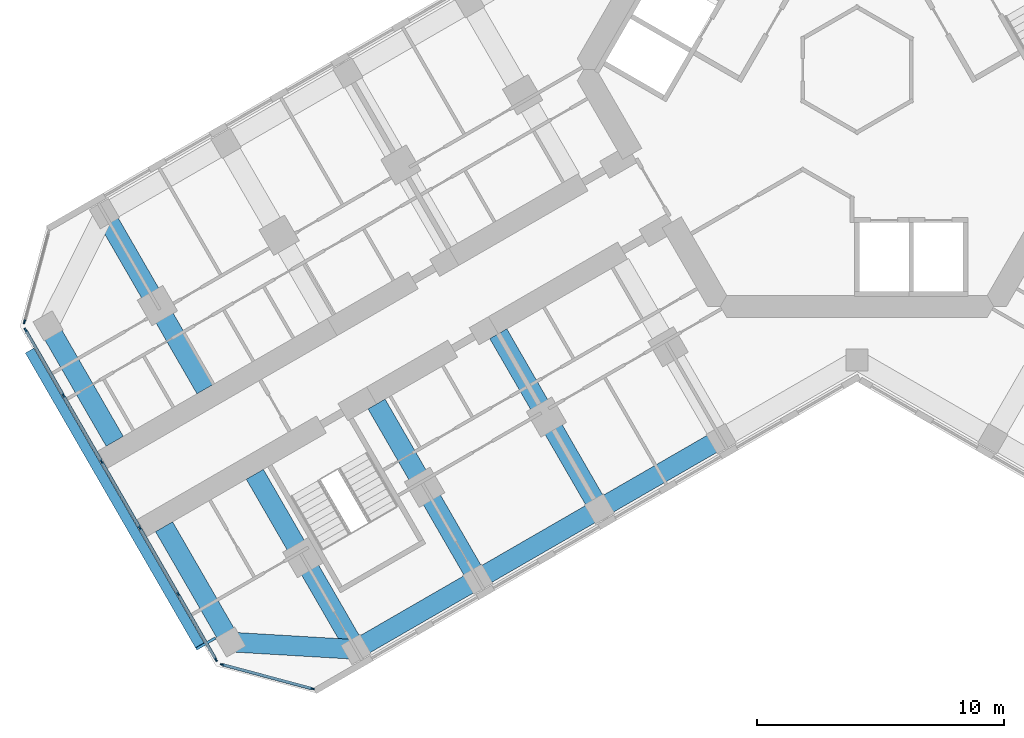
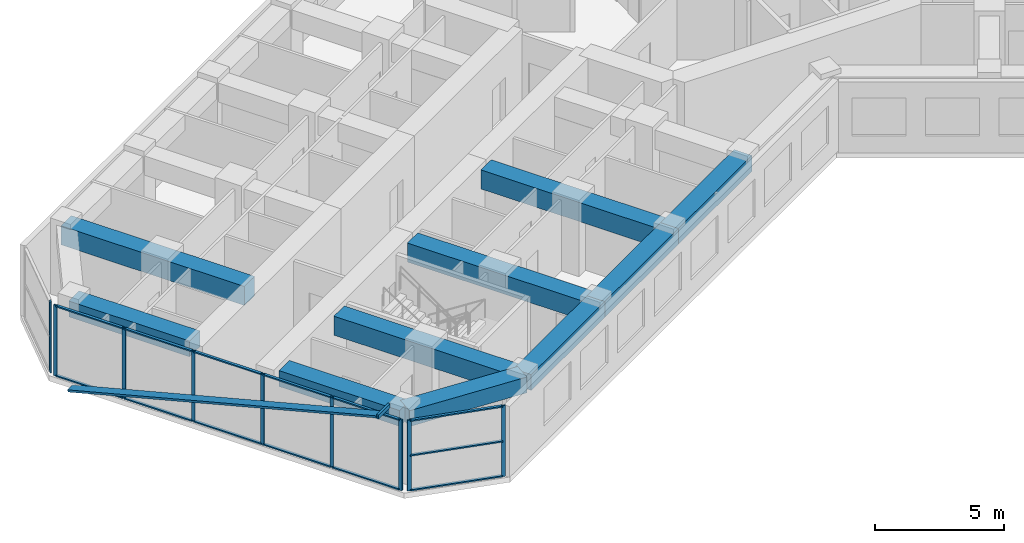
# One storey, part 2 of 19: 24 members, 10 beams, 3 elements without a shape of their own.
"""IFC4 building model written with IfcOpenShell, lengths in metres."""

import ifcopenshell
import ifcopenshell.guid

model = None  # the IFC model being written
_history = None  # IfcOwnerHistory: only IFC2X3 demands one
_inside = {}  # id of a spatial element -> (the spatial element, [elements in it])
_under = {}  # id of a project, library or spatial element -> (it, [spatial elements below it])
_declared = {}  # id of a project -> (the project, [libraries it declares])
_typed = {}  # id of a type object -> (the type object, [elements of that type])
_made_of = {}  # id of a material, layer set ... -> (it, [elements and type objects made of it])


def new_model(schema):
    """Start an empty IFC model of exactly this schema.

    Asked for "IFC4X3", IfcOpenShell would pick the latest addendum, in which some entities
    have other attributes; the version numbers below select the first issue.
    IFC2X3 requires an IfcOwnerHistory on every rooted entity: one is made here for all.
    """
    global model, _history
    if schema == "IFC4X3":
        model = ifcopenshell.file(schema_version=(4, 3, 0, 0))
    else:
        model = ifcopenshell.file(schema=schema)
    _inside.clear()
    _under.clear()
    _declared.clear()
    _typed.clear()
    _made_of.clear()
    _history = None
    if model.schema == "IFC2X3":
        org = make("IfcOrganization", Name="unknown")
        user = make(
            "IfcPersonAndOrganization",
            ThePerson=make("IfcPerson", FamilyName="unknown"),
            TheOrganization=org,
        )
        app = make(
            "IfcApplication",
            ApplicationDeveloper=org,
            Version="unknown",
            ApplicationFullName="unknown",
            ApplicationIdentifier="unknown",
        )
        _history = make(
            "IfcOwnerHistory",
            OwningUser=user,
            OwningApplication=app,
            ChangeAction="ADDED",
            CreationDate=0,
        )
    return model


def make(cls, **values):
    """One entity of the class cls with the attributes given. An attribute that is None is left unset."""
    return model.create_entity(
        cls, **{name: value for name, value in values.items() if value is not None}
    )


def rooted(cls, **values):
    """An entity with a GlobalId (a new one), such as an element, a storey or a relation."""
    return make(cls, GlobalId=ifcopenshell.guid.new(), OwnerHistory=_history, **values)


def si_unit(unit_type, name, prefix=None):
    """IfcSIUnit, for example si_unit("LENGTHUNIT", "METRE", prefix="MILLI")."""
    return make("IfcSIUnit", UnitType=unit_type, Prefix=prefix, Name=name)


def assignment(units):
    """IfcUnitAssignment: the units of a project."""
    return None if units is None else make("IfcUnitAssignment", Units=units)


def point(xyz):
    """IfcCartesianPoint."""
    return None if xyz is None else make("IfcCartesianPoint", Coordinates=xyz)


def direction(xyz):
    """IfcDirection."""
    return None if xyz is None else make("IfcDirection", DirectionRatios=xyz)


def frame(location, z_axis=None, x_axis=None):
    """IfcAxis2Placement3D, a coordinate frame: its origin and axes. An axis left out is left unset."""
    return make(
        "IfcAxis2Placement3D",
        Location=point(location),
        Axis=direction(z_axis),
        RefDirection=direction(x_axis),
    )


def frame_2d(location, x_axis=None):
    """IfcAxis2Placement2D, a coordinate frame in the plane: its origin and x axis."""
    return make(
        "IfcAxis2Placement2D", Location=point(location), RefDirection=direction(x_axis)
    )


def origin():
    """The frame at (0, 0, 0) with its axes left unset."""
    return frame((0.0, 0.0, 0.0))


def origin_2d():
    """The frame at (0, 0) in the plane with its x axis left unset."""
    return frame_2d((0.0, 0.0))


def place(relative_to, where):
    """IfcLocalPlacement: puts the frame where relative to a parent placement (None: the world)."""
    return make(
        "IfcLocalPlacement", PlacementRelTo=relative_to, RelativePlacement=where
    )


def context(
    kind, dimensions, precision=None, world=None, true_north=None, identifier=None
):
    """IfcGeometricRepresentationContext, for example the 3D "Model" context."""
    return make(
        "IfcGeometricRepresentationContext",
        ContextIdentifier=identifier,
        ContextType=kind,
        CoordinateSpaceDimension=dimensions,
        Precision=precision,
        WorldCoordinateSystem=world,
        TrueNorth=true_north,
    )


def subcontext(parent, identifier, kind, view, scale=None):
    """IfcGeometricRepresentationSubContext, for example "Body" below "Model"."""
    return make(
        "IfcGeometricRepresentationSubContext",
        ContextIdentifier=identifier,
        ContextType=kind,
        ParentContext=parent,
        TargetScale=scale,
        TargetView=view,
    )


def project(units=None, contexts=None):
    """IfcProject with its units and contexts."""
    return rooted(
        "IfcProject",
        Name="project",
        RepresentationContexts=contexts,
        UnitsInContext=assignment(units),
    )


def spatial(cls, under=None, at=None, **own):
    """A site, building, storey or space (cls), placed at a placement, below another one or the project."""
    s = rooted(cls, ObjectPlacement=at, **own)
    if under is not None:
        _under.setdefault(under.id(), (under, []))[1].append(s)
    return s


def profile(cls, at=None, kind="AREA", **sizes):
    """A parametric profile (cls). Its sizes go by their IFC names, for example OverallWidth=200.0."""
    return make(cls, ProfileType=kind, Position=at, **sizes)


def rectangle(**sizes):
    """IfcRectangleProfileDef."""
    return profile("IfcRectangleProfileDef", **sizes)


def hollow_rectangle(**sizes):
    """IfcRectangleHollowProfileDef."""
    return profile("IfcRectangleHollowProfileDef", **sizes)


def extrude(swept, where, along, depth):
    """IfcExtrudedAreaSolid: the profile swept, set in the frame where, extruded along a direction by depth."""
    return make(
        "IfcExtrudedAreaSolid",
        SweptArea=swept,
        Position=where,
        ExtrudedDirection=direction(along),
        Depth=depth,
    )


def shape(context_of_items, identifier, shape_type, items):
    """IfcShapeRepresentation: the items that make up one representation, for example the "Body"."""
    return make(
        "IfcShapeRepresentation",
        ContextOfItems=context_of_items,
        RepresentationIdentifier=identifier,
        RepresentationType=shape_type,
        Items=items,
    )


def material(Name=None, Category=None):
    """IfcMaterial."""
    return make("IfcMaterial", Name=Name, Category=Category)


def material_profile(
    of_material, cross_section, Name=None, Category=None, Priority=None
):
    """IfcMaterialProfile: a cross section and its material."""
    return make(
        "IfcMaterialProfile",
        Name=Name,
        Material=of_material,
        Profile=cross_section,
        Priority=Priority,
        Category=Category,
    )


def profile_set(profiles, Name=None, composite=None):
    """IfcMaterialProfileSet."""
    return make(
        "IfcMaterialProfileSet",
        Name=Name,
        MaterialProfiles=profiles,
        CompositeProfile=composite,
    )


def made_of(thing, what):
    """Note that an element or type object is made of a material, layer set ...; save() writes the relation."""
    if what is not None:
        _made_of.setdefault(what.id(), (what, []))[1].append(thing)
    return thing


def type_object(cls, material=None, **own):
    """A type object (cls), such as IfcWallType, which elements share."""
    return made_of(rooted(cls, **own), material)


def element(
    cls,
    number,
    at=None,
    inside=None,
    cuts=None,
    type_object=None,
    material=None,
    context=None,
    identifier="Body",
    shape_type=None,
    held_by="IfcProductDefinitionShape",
    body=None,
    shapes=None,
    **own,
):
    """One element of the class cls, such as IfcWall. Its Tag is "e" and its number.

    at: its placement. inside: the storey or other place that contains it. cuts: it is an
    opening in that element (IfcRelVoidsElement). A single representation is given by context,
    identifier, shape_type and body (its items); several are given by shapes. held_by: the class
    of the entity that holds the representations. save() writes the other relations.
    """
    e = rooted(cls, Tag="e%d" % number, ObjectPlacement=at, **own)
    if body is not None:
        shapes = [shape(context, identifier, shape_type, body)]
    if shapes is not None:
        e.Representation = make(held_by, Representations=shapes)
    if inside is not None:
        _inside.setdefault(inside.id(), (inside, []))[1].append(e)
    if cuts is not None:
        rooted(
            "IfcRelVoidsElement", RelatingBuildingElement=cuts, RelatedOpeningElement=e
        )
    if type_object is not None:
        _typed.setdefault(type_object.id(), (type_object, []))[1].append(e)
    return made_of(e, material)


def aggregate(whole, parts):
    """IfcRelAggregates: a whole, such as a stair, and the parts it consists of."""
    return rooted("IfcRelAggregates", RelatingObject=whole, RelatedObjects=parts)


def save(model, path):
    """Write the relations noted so far, then the file.

    IfcRelAggregates (storeys below a building ...), IfcRelContainedInSpatialStructure (elements
    in a storey), IfcRelDefinesByType, IfcRelAssociatesMaterial and IfcRelDeclares: one each for
    every whole, place, type object, material and project.
    """
    for whole, parts in _under.values():
        aggregate(whole, parts)
    for where, things in _inside.values():
        rooted(
            "IfcRelContainedInSpatialStructure",
            RelatedElements=things,
            RelatingStructure=where,
        )
    for kind, things in _typed.values():
        rooted("IfcRelDefinesByType", RelatedObjects=things, RelatingType=kind)
    for what, things in _made_of.values():
        rooted("IfcRelAssociatesMaterial", RelatedObjects=things, RelatingMaterial=what)
    for by, libraries in _declared.values():
        rooted("IfcRelDeclares", RelatingContext=by, RelatedDefinitions=libraries)
    model.write(path)


model = new_model("IFC4")

# Units and contexts
model_context = context("Model", 3, precision=1e-05, world=origin(), true_north=direction((0.0, 1.0)))
body_context = subcontext(model_context, "Body", "Model", "MODEL_VIEW")
ifc_project = project(units=[si_unit("LENGTHUNIT", "METRE"), si_unit("AREAUNIT", "SQUARE_METRE"), si_unit("VOLUMEUNIT", "CUBIC_METRE"), si_unit("PLANEANGLEUNIT", "RADIAN"), si_unit("MASSUNIT", "GRAM", prefix="KILO")], contexts=[model_context])

# Site, building, storey
site_placement = place(None, origin())
site = spatial("IfcSite", under=ifc_project, at=site_placement, CompositionType="ELEMENT")
building_placement = place(site_placement, origin())
building = spatial("IfcBuilding", under=site, at=building_placement, Name="Kosmar Iwan School Tower", CompositionType="ELEMENT")
storey_placement = place(building_placement, frame((0.0, 0.0, 161.60009765625)))
storey = spatial("IfcBuildingStorey", under=building, at=storey_placement, Name="L40", CompositionType="ELEMENT", Elevation=161.60009765625)

# Members
ifc_material_1 = material(Name="Black anodised aluminium", Category="aluminium")
ifc_material_profile_1 = material_profile(ifc_material_1, rectangle(XDim=0.10009765625, YDim=0.39990234375, at=origin_2d()), Name="FIN 100x400")
ifc_profile_set_1 = profile_set([ifc_material_profile_1], Name="Black anodised aluminium")
member_type_1 = type_object("IfcMemberType", Name="Diagonal fin 100x400", PredefinedType="USERDEFINED", material=ifc_profile_set_1)
member_1_placement = place(storey_placement, frame((-33.54345703125, -11.40087890625, -0.150146484375), z_axis=(0.483793446988, -0.837970316603, 0.25248692866), x_axis=(-0.126241714543, 0.218661104574, 0.96760030532)))
element("IfcMember", 1, at=member_1_placement, inside=storey, type_object=member_type_1, Name="Diagonal fin L40-F13", ObjectType="FIN", PredefinedType="USERDEFINED", context=body_context, shape_type="SweptSolid", body=[
    extrude(rectangle(XDim=0.10009765625, YDim=0.39990234375, at=origin_2d()), origin(), (0.0, 0.0, 1.0), 14.258544921875),
])
ifc_material_2 = material(Name="Steel S355", Category="steel")
ifc_material_profile_2 = material_profile(ifc_material_2, hollow_rectangle(XDim=0.10009765625, YDim=0.199951171875, WallThickness=0.008056640625, at=origin_2d()), Name="RHS 200x100x8")
ifc_profile_set_2 = profile_set([ifc_material_profile_2], Name="Steel S355")
member_type_2 = type_object("IfcMemberType", Name="Fin bracket RHS 200x100", PredefinedType="USERDEFINED", material=ifc_profile_set_2)
member_2_placement = place(storey_placement, frame((-26.01318359375, -23.0439453125, 3.474853515625), z_axis=(-0.866013897511, -0.50001992892, 0.0), x_axis=(0.50001992892, -0.866013897511, 0.0)))
element("IfcMember", 2, at=member_2_placement, inside=storey, type_object=member_type_2, Name="Fin bracket L41", ObjectType="FIN BRACKET", PredefinedType="USERDEFINED", context=body_context, shape_type="SweptSolid", body=[
    extrude(hollow_rectangle(XDim=0.10009765625, YDim=0.199951171875, WallThickness=0.008056640625, at=origin_2d()), origin(), (0.0, 0.0, 1.0), 0.89990234375),
])

# Curtain wall, member
ifc_material_3 = material(Name="Dark glass in black aluminium frame", Category="aluminium")
curtain_wall_type_1 = type_object("IfcCurtainWallType", Name="Chamfer curtain wall dark glass", PredefinedType="USERDEFINED", material=ifc_material_3)
curtain_wall_1_placement = place(storey_placement, origin())
curtain_wall_1 = element("IfcCurtainWall", 3, at=curtain_wall_1_placement, inside=storey, type_object=curtain_wall_type_1, Name="Curtain wall L40-F12", ObjectType="FACETED CURTAIN WALL", PredefinedType="USERDEFINED")
ifc_material_4 = material(Name="Black anodised aluminium", Category="aluminium")
ifc_material_profile_3 = material_profile(ifc_material_4, rectangle(XDim=0.06005859375, YDim=0.159912109375, at=origin_2d()), Name="MULLION 60x160")
ifc_profile_set_3 = profile_set([ifc_material_profile_3], Name="Black anodised aluminium")
member_type_3 = type_object("IfcMemberType", Name="Mullion 60x160", PredefinedType="MULLION", material=ifc_profile_set_3)
member_3_placement = place(storey_placement, frame((-33.7587890625, -10.2236328125, 0.0), z_axis=(0.0, 0.0, 1.0), x_axis=(0.965925875495, -0.258818861462, 0.0)))
member_3 = element("IfcMember", 4, at=member_3_placement, type_object=member_type_3, Name="CW2 mullion 2", PredefinedType="MULLION", context=body_context, shape_type="SweptSolid", body=[
    extrude(rectangle(XDim=0.06005859375, YDim=0.159912109375, at=origin_2d()), origin(), (0.0, 0.0, 1.0), 3.349853515625),
])
aggregate(curtain_wall_1, [member_3])

# Curtain wall, members
ifc_material_5 = material(Name="Dark glass in black aluminium frame", Category="aluminium")
curtain_wall_type_2 = type_object("IfcCurtainWallType", Name="Tower curtain wall dark glass", PredefinedType="USERDEFINED", material=ifc_material_5)
curtain_wall_2_placement = place(storey_placement, origin())
curtain_wall_2 = element("IfcCurtainWall", 5, at=curtain_wall_2_placement, inside=storey, type_object=curtain_wall_type_2, Name="Curtain wall L40-F13", ObjectType="UNITISED CURTAIN WALL", PredefinedType="USERDEFINED")
member_4_placement = place(storey_placement, frame((-33.71533203125, -10.55322265625, 0.0), z_axis=(0.0, 0.0, 1.0), x_axis=(0.866025405329, 0.499999997325, 0.0)))
member_4 = element("IfcMember", 6, at=member_4_placement, type_object=member_type_3, Name="CW1 mullion 1", PredefinedType="MULLION", context=body_context, shape_type="SweptSolid", body=[
    extrude(rectangle(XDim=0.06005859375, YDim=0.159912109375, at=origin_2d()), origin(), (0.0, 0.0, 1.0), 3.349853515625),
])
member_5_placement = place(storey_placement, frame((-32.1806640625, -13.21142578125, 0.0), z_axis=(0.0, 0.0, 1.0), x_axis=(0.866025405329, 0.499999997325, 0.0)))
member_5 = element("IfcMember", 7, at=member_5_placement, type_object=member_type_3, Name="CW1 mullion 2", PredefinedType="MULLION", context=body_context, shape_type="SweptSolid", body=[
    extrude(rectangle(XDim=0.06005859375, YDim=0.159912109375, at=origin_2d()), origin(), (0.0, 0.0, 1.0), 3.349853515625),
])
member_6_placement = place(storey_placement, frame((-30.631103515625, -15.8955078125, 0.0), z_axis=(0.0, 0.0, 1.0), x_axis=(0.866025405329, 0.499999997325, 0.0)))
member_6 = element("IfcMember", 8, at=member_6_placement, type_object=member_type_3, Name="CW1 mullion 3", PredefinedType="MULLION", context=body_context, shape_type="SweptSolid", body=[
    extrude(rectangle(XDim=0.06005859375, YDim=0.159912109375, at=origin_2d()), origin(), (0.0, 0.0, 1.0), 3.349853515625),
])
member_7_placement = place(storey_placement, frame((-29.081298828125, -18.57958984375, 0.0), z_axis=(0.0, 0.0, 1.0), x_axis=(0.866025405329, 0.499999997325, 0.0)))
member_7 = element("IfcMember", 9, at=member_7_placement, type_object=member_type_3, Name="CW1 mullion 4", PredefinedType="MULLION", context=body_context, shape_type="SweptSolid", body=[
    extrude(rectangle(XDim=0.06005859375, YDim=0.159912109375, at=origin_2d()), origin(), (0.0, 0.0, 1.0), 3.349853515625),
])
member_8_placement = place(storey_placement, frame((-27.53173828125, -21.263671875, 0.0), z_axis=(0.0, 0.0, 1.0), x_axis=(0.866025405329, 0.499999997325, 0.0)))
member_8 = element("IfcMember", 10, at=member_8_placement, type_object=member_type_3, Name="CW1 mullion 5", PredefinedType="MULLION", context=body_context, shape_type="SweptSolid", body=[
    extrude(rectangle(XDim=0.06005859375, YDim=0.159912109375, at=origin_2d()), origin(), (0.0, 0.0, 1.0), 3.349853515625),
])
member_9_placement = place(storey_placement, frame((-25.9970703125, -23.921630859375, 0.0), z_axis=(0.0, 0.0, 1.0), x_axis=(0.866025405329, 0.499999997325, 0.0)))
member_9 = element("IfcMember", 11, at=member_9_placement, type_object=member_type_3, Name="CW1 mullion 6", PredefinedType="MULLION", context=body_context, shape_type="SweptSolid", body=[
    extrude(rectangle(XDim=0.06005859375, YDim=0.159912109375, at=origin_2d()), origin(), (0.0, 0.0, 1.0), 3.349853515625),
])

curtain_wall_3_placement = place(storey_placement, origin())
curtain_wall_3 = element("IfcCurtainWall", 12, at=curtain_wall_3_placement, inside=storey, type_object=curtain_wall_type_1, Name="Curtain wall L40-F14", ObjectType="FACETED CURTAIN WALL", PredefinedType="USERDEFINED")
member_10_placement = place(storey_placement, frame((-25.733154296875, -24.124267578125, 0.0), z_axis=(0.0, 0.0, 1.0), x_axis=(0.258818861462, 0.965925875495, 0.0)))
member_10 = element("IfcMember", 13, at=member_10_placement, type_object=member_type_3, Name="CW2 mullion 1", PredefinedType="MULLION", context=body_context, shape_type="SweptSolid", body=[
    extrude(rectangle(XDim=0.06005859375, YDim=0.159912109375, at=origin_2d()), origin(), (0.0, 0.0, 1.0), 3.349853515625),
])
member_11_placement = place(storey_placement, frame((-22.0830078125, -25.102294921875, 0.0), z_axis=(0.0, 0.0, 1.0), x_axis=(0.258818861462, 0.965925875495, 0.0)))
member_11 = element("IfcMember", 14, at=member_11_placement, type_object=member_type_3, Name="CW2 mullion 2", PredefinedType="MULLION", context=body_context, shape_type="SweptSolid", body=[
    extrude(rectangle(XDim=0.06005859375, YDim=0.159912109375, at=origin_2d()), origin(), (0.0, 0.0, 1.0), 3.349853515625),
])

# Beams
ifc_material_6 = material(Name="Concrete C50/60", Category="concrete")
ifc_material_profile_4 = material_profile(ifc_material_6, rectangle(XDim=0.800048828125, YDim=0.75, at=origin_2d()), Name="RC 800x750")
ifc_profile_set_4 = profile_set([ifc_material_profile_4], Name="Concrete C50/60")
beam_type_1 = type_object("IfcBeamType", Name="RC edge beam 800x750", PredefinedType="BEAM", material=ifc_profile_set_4)
beam_1_placement = place(storey_placement, frame((-5.5087890625, -14.95849609375, 2.974853515625), z_axis=(-0.866033658841, -0.49998570155, 0.0), x_axis=(0.49998570155, -0.866033658841, 0.0)))
element("IfcBeam", 15, at=beam_1_placement, inside=storey, type_object=beam_type_1, Name="Edge beam BL2", PredefinedType="BEAM", context=body_context, shape_type="SweptSolid", body=[
    extrude(rectangle(XDim=0.800048828125, YDim=0.75, at=origin_2d()), origin(), (0.0, 0.0, 1.0), 5.699951171875),
])
beam_2_placement = place(storey_placement, frame((-10.445068359375, -17.808349609375, 2.974853515625), z_axis=(-0.866025820012, -0.499999279071, 0.0), x_axis=(0.499999279071, -0.866025820012, 0.0)))
element("IfcBeam", 16, at=beam_2_placement, inside=storey, type_object=beam_type_1, Name="Edge beam BL3", PredefinedType="BEAM", context=body_context, shape_type="SweptSolid", body=[
    extrude(rectangle(XDim=0.800048828125, YDim=0.75, at=origin_2d()), origin(), (0.0, 0.0, 1.0), 5.7001953125),
])
beam_3_placement = place(storey_placement, frame((-15.381591796875, -20.658447265625, 2.974853515625), z_axis=(-0.866015111908, -0.50001782563, 0.0), x_axis=(0.50001782563, -0.866015111908, 0.0)))
element("IfcBeam", 17, at=beam_3_placement, inside=storey, type_object=beam_type_1, Name="Edge beam BL4", PredefinedType="BEAM", context=body_context, shape_type="SweptSolid", body=[
    extrude(rectangle(XDim=0.800048828125, YDim=0.75, at=origin_2d()), origin(), (0.0, 0.0, 1.0), 5.699951171875),
])
ifc_material_7 = material(Name="Concrete C50/60", Category="concrete")
ifc_material_profile_5 = material_profile(ifc_material_7, rectangle(XDim=0.800048828125, YDim=0.75, at=origin_2d()), Name="RC 800x750")
ifc_profile_set_5 = profile_set([ifc_material_profile_5], Name="Concrete C50/60")
beam_type_2 = type_object("IfcBeamType", Name="RC tip beam 800x750", PredefinedType="BEAM", material=ifc_profile_set_5)
beam_4_placement = place(storey_placement, frame((-20.31787109375, -23.508544921875, 2.974853515625), z_axis=(-0.998260616478, 0.058955420358, 0.0), x_axis=(-0.058955420358, -0.998260616478, 0.0)))
element("IfcBeam", 18, at=beam_4_placement, inside=storey, type_object=beam_type_2, Name="Tip beam BL", PredefinedType="BEAM", context=body_context, shape_type="SweptSolid", body=[
    extrude(rectangle(XDim=0.800048828125, YDim=0.75, at=origin_2d()), origin(), (0.0, 0.0, 1.0), 5.08935546875),
])
for number, where, z_axis, x_axis, name in (
    (19, (-25.3984375, -23.20849609375, 2.974853515625), (-0.499995103361, 0.866028230842, 0.0), (-0.866028230842, -0.499995103361, 0.0), "Tip beam BL to corridor wall"),
    (20, (-32.79833984375, -10.391357421875, 2.974853515625), (0.499995103361, -0.866028230842, 0.0), (0.866028230842, 0.499995103361, 0.0), "Tip beam BR to corridor wall"),
):
    element("IfcBeam", number, at=place(storey_placement, frame(where, z_axis=z_axis, x_axis=x_axis)), inside=storey, type_object=beam_type_2, Name=name, PredefinedType="BEAM", context=body_context, shape_type="SweptSolid", body=[
        extrude(rectangle(XDim=0.800048828125, YDim=0.75, at=origin_2d()), origin(), (0.0, 0.0, 1.0), 5.39990234375),
    ])
ifc_material_8 = material(Name="Concrete C50/60", Category="concrete")
ifc_material_profile_6 = material_profile(ifc_material_8, rectangle(XDim=0.800048828125, YDim=0.89990234375, at=origin_2d()), Name="RC 800x900")
ifc_profile_set_6 = profile_set([ifc_material_profile_6], Name="Concrete C50/60")
beam_type_3 = type_object("IfcBeamType", Name="RC transverse beam 800x900", PredefinedType="BEAM", material=ifc_profile_set_6)
for number, where, z_axis, x_axis, name in (
    (21, (-10.445068359375, -17.808349609375, 2.89990234375), (-0.500013681986, 0.866017504342, 0.0), (-0.866017504342, -0.500013681986, 0.0), "Transverse beam BL2"),
    (22, (-15.381591796875, -20.658447265625, 2.89990234375), (-0.49999135188, 0.866030396721, 0.0), (-0.866030396721, -0.49999135188, 0.0), "Transverse beam BL3"),
    (23, (-20.31787109375, -23.508544921875, 2.89990234375), (-0.499978459874, 0.866037839625, 0.0), (-0.866037839625, -0.499978459874, 0.0), "Transverse beam BL4"),
    (24, (-30.517822265625, -5.841552734375, 2.89990234375), (0.500013681986, -0.866017504342, 0.0), (0.866017504342, 0.500013681986, 0.0), "Transverse beam BR4"),
):
    element("IfcBeam", number, at=place(storey_placement, frame(where, z_axis=z_axis, x_axis=x_axis)), inside=storey, type_object=beam_type_3, Name=name, PredefinedType="BEAM", context=body_context, shape_type="SweptSolid", body=[
        extrude(rectangle(XDim=0.800048828125, YDim=0.89990234375, at=origin_2d()), origin(), (0.0, 0.0, 1.0), 8.199951171875),
    ])

# Member
ifc_material_9 = material(Name="Black anodised aluminium", Category="aluminium")
ifc_material_profile_7 = material_profile(ifc_material_9, rectangle(XDim=0.1201171875, YDim=0.06005859375, at=origin_2d()), Name="TRANSOM 60x120")
ifc_profile_set_7 = profile_set([ifc_material_profile_7], Name="Black anodised aluminium")
member_type_4 = type_object("IfcMemberType", Name="Transom 60x120", PredefinedType="USERDEFINED", material=ifc_profile_set_7)
member_12_placement = place(storey_placement, frame((-33.700439453125, -10.579345703125, 0.02978515625), z_axis=(0.500022102064, -0.866012642776, 0.0), x_axis=(0.866012642776, 0.500022102064, 0.0)))
member_12 = element("IfcMember", 25, at=member_12_placement, type_object=member_type_4, Name="CW1 transom 1.1", ObjectType="TRANSOM", PredefinedType="USERDEFINED", context=body_context, shape_type="SweptSolid", body=[
    extrude(rectangle(XDim=0.1201171875, YDim=0.06005859375, at=origin_2d()), origin(), (0.0, 0.0, 1.0), 3.009033203125),
])

member_13_placement = place(storey_placement, frame((-33.700439453125, -10.579345703125, 3.31982421875), z_axis=(0.500022102064, -0.866012642776, 0.0), x_axis=(0.866012642776, 0.500022102064, 0.0)))
member_13 = element("IfcMember", 26, at=member_13_placement, type_object=member_type_4, Name="CW1 transom 1.2", ObjectType="TRANSOM", PredefinedType="USERDEFINED", context=body_context, shape_type="SweptSolid", body=[
    extrude(rectangle(XDim=0.1201171875, YDim=0.06005859375, at=origin_2d()), origin(), (0.0, 0.0, 1.0), 3.009033203125),
])

member_14_placement = place(storey_placement, frame((-32.165771484375, -13.2373046875, 0.02978515625), z_axis=(0.500035348339, -0.866004994449, 0.0), x_axis=(0.866004994449, 0.500035348339, 0.0)))
member_14 = element("IfcMember", 27, at=member_14_placement, type_object=member_type_4, Name="CW1 transom 2.1", ObjectType="TRANSOM", PredefinedType="USERDEFINED", context=body_context, shape_type="SweptSolid", body=[
    extrude(rectangle(XDim=0.1201171875, YDim=0.06005859375, at=origin_2d()), origin(), (0.0, 0.0, 1.0), 3.039306640625),
])

member_15_placement = place(storey_placement, frame((-32.165771484375, -13.2373046875, 3.31982421875), z_axis=(0.500035348339, -0.866004994449, 0.0), x_axis=(0.866004994449, 0.500035348339, 0.0)))
member_15 = element("IfcMember", 28, at=member_15_placement, type_object=member_type_4, Name="CW1 transom 2.2", ObjectType="TRANSOM", PredefinedType="USERDEFINED", context=body_context, shape_type="SweptSolid", body=[
    extrude(rectangle(XDim=0.1201171875, YDim=0.06005859375, at=origin_2d()), origin(), (0.0, 0.0, 1.0), 3.039306640625),
])

member_16_placement = place(storey_placement, frame((-30.615966796875, -15.92138671875, 0.02978515625), z_axis=(0.499975102327, -0.866039777986, 0.0), x_axis=(0.866039777986, 0.499975102327, 0.0)))
member_16 = element("IfcMember", 29, at=member_16_placement, type_object=member_type_4, Name="CW1 transom 3.1", ObjectType="TRANSOM", PredefinedType="USERDEFINED", context=body_context, shape_type="SweptSolid", body=[
    extrude(rectangle(XDim=0.1201171875, YDim=0.06005859375, at=origin_2d()), origin(), (0.0, 0.0, 1.0), 3.039306640625),
])

member_17_placement = place(storey_placement, frame((-30.615966796875, -15.92138671875, 3.31982421875), z_axis=(0.499975102327, -0.866039777986, 0.0), x_axis=(0.866039777986, 0.499975102327, 0.0)))
member_17 = element("IfcMember", 30, at=member_17_placement, type_object=member_type_4, Name="CW1 transom 3.2", ObjectType="TRANSOM", PredefinedType="USERDEFINED", context=body_context, shape_type="SweptSolid", body=[
    extrude(rectangle(XDim=0.1201171875, YDim=0.06005859375, at=origin_2d()), origin(), (0.0, 0.0, 1.0), 3.039306640625),
])

member_18_placement = place(storey_placement, frame((-29.06640625, -18.60546875, 0.02978515625), z_axis=(0.499975102327, -0.866039777986, 0.0), x_axis=(0.866039777986, 0.499975102327, 0.0)))
member_18 = element("IfcMember", 31, at=member_18_placement, type_object=member_type_4, Name="CW1 transom 4.1", ObjectType="TRANSOM", PredefinedType="USERDEFINED", context=body_context, shape_type="SweptSolid", body=[
    extrude(rectangle(XDim=0.1201171875, YDim=0.06005859375, at=origin_2d()), origin(), (0.0, 0.0, 1.0), 3.039306640625),
])

member_19_placement = place(storey_placement, frame((-29.06640625, -18.60546875, 3.31982421875), z_axis=(0.499975102327, -0.866039777986, 0.0), x_axis=(0.866039777986, 0.499975102327, 0.0)))
member_19 = element("IfcMember", 32, at=member_19_placement, type_object=member_type_4, Name="CW1 transom 4.2", ObjectType="TRANSOM", PredefinedType="USERDEFINED", context=body_context, shape_type="SweptSolid", body=[
    extrude(rectangle(XDim=0.1201171875, YDim=0.06005859375, at=origin_2d()), origin(), (0.0, 0.0, 1.0), 3.039306640625),
])

member_20_placement = place(storey_placement, frame((-27.516845703125, -21.28955078125, 0.02978515625), z_axis=(0.499986971506, -0.866032925658, 0.0), x_axis=(0.866032925658, 0.499986971506, 0.0)))
member_20 = element("IfcMember", 33, at=member_20_placement, type_object=member_type_4, Name="CW1 transom 5.1", ObjectType="TRANSOM", PredefinedType="USERDEFINED", context=body_context, shape_type="SweptSolid", body=[
    extrude(rectangle(XDim=0.1201171875, YDim=0.06005859375, at=origin_2d()), origin(), (0.0, 0.0, 1.0), 3.00927734375),
])

member_21_placement = place(storey_placement, frame((-27.516845703125, -21.28955078125, 3.31982421875), z_axis=(0.499986971506, -0.866032925658, 0.0), x_axis=(0.866032925658, 0.499986971506, 0.0)))
member_21 = element("IfcMember", 34, at=member_21_placement, type_object=member_type_4, Name="CW1 transom 5.2", ObjectType="TRANSOM", PredefinedType="USERDEFINED", context=body_context, shape_type="SweptSolid", body=[
    extrude(rectangle(XDim=0.1201171875, YDim=0.06005859375, at=origin_2d()), origin(), (0.0, 0.0, 1.0), 3.00927734375),
])

aggregate(curtain_wall_2, [member_4, member_5, member_6, member_7, member_8, member_9, member_12, member_13, member_14, member_15, member_16, member_17, member_18, member_19, member_20, member_21])

member_22_placement = place(storey_placement, frame((-25.704345703125, -24.1318359375, 0.02978515625), z_axis=(0.965923731726, -0.258826861991, 0.0), x_axis=(0.258826861991, 0.965923731726, 0.0)))
member_22 = element("IfcMember", 35, at=member_22_placement, type_object=member_type_4, Name="CW2 transom 1.1", ObjectType="TRANSOM", PredefinedType="USERDEFINED", context=body_context, shape_type="SweptSolid", body=[
    extrude(rectangle(XDim=0.1201171875, YDim=0.06005859375, at=origin_2d()), origin(), (0.0, 0.0, 1.0), 3.71923828125),
])

member_23_placement = place(storey_placement, frame((-25.704345703125, -24.1318359375, 1.6748046875), z_axis=(0.965923731726, -0.258826861991, 0.0), x_axis=(0.258826861991, 0.965923731726, 0.0)))
member_23 = element("IfcMember", 36, at=member_23_placement, type_object=member_type_4, Name="CW2 transom 1.2", ObjectType="TRANSOM", PredefinedType="USERDEFINED", context=body_context, shape_type="SweptSolid", body=[
    extrude(rectangle(XDim=0.1201171875, YDim=0.06005859375, at=origin_2d()), origin(), (0.0, 0.0, 1.0), 3.71923828125),
])

member_24_placement = place(storey_placement, frame((-25.704345703125, -24.1318359375, 3.31982421875), z_axis=(0.965923731726, -0.258826861991, 0.0), x_axis=(0.258826861991, 0.965923731726, 0.0)))
member_24 = element("IfcMember", 37, at=member_24_placement, type_object=member_type_4, Name="CW2 transom 1.3", ObjectType="TRANSOM", PredefinedType="USERDEFINED", context=body_context, shape_type="SweptSolid", body=[
    extrude(rectangle(XDim=0.1201171875, YDim=0.06005859375, at=origin_2d()), origin(), (0.0, 0.0, 1.0), 3.71923828125),
])

aggregate(curtain_wall_3, [member_10, member_11, member_22, member_23, member_24])

save(model, "model.ifc")
